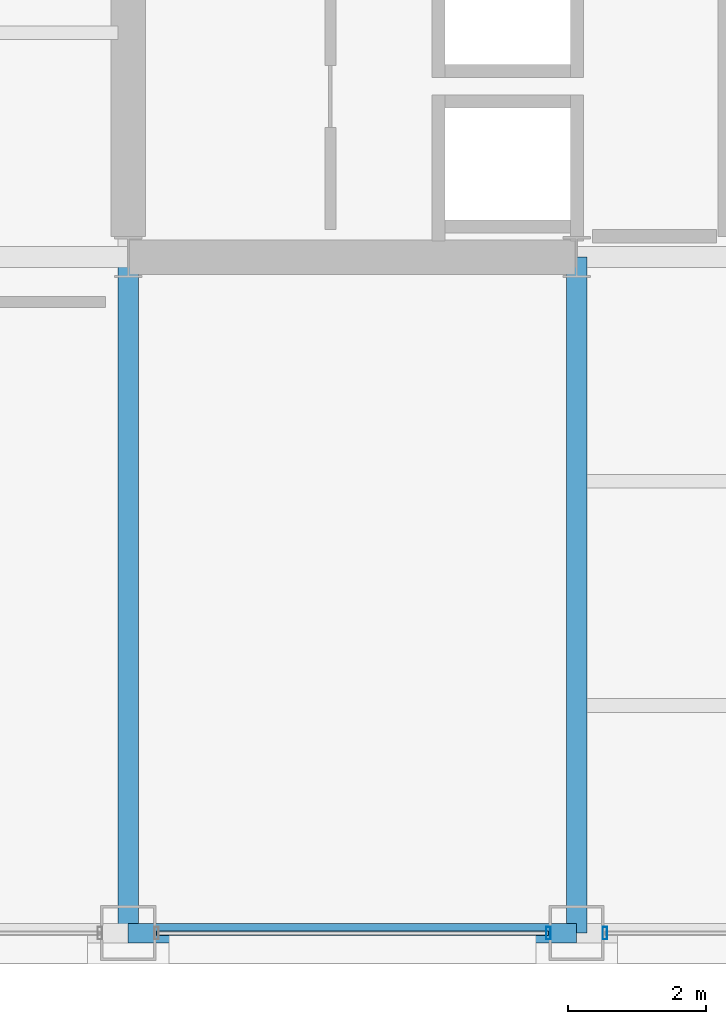
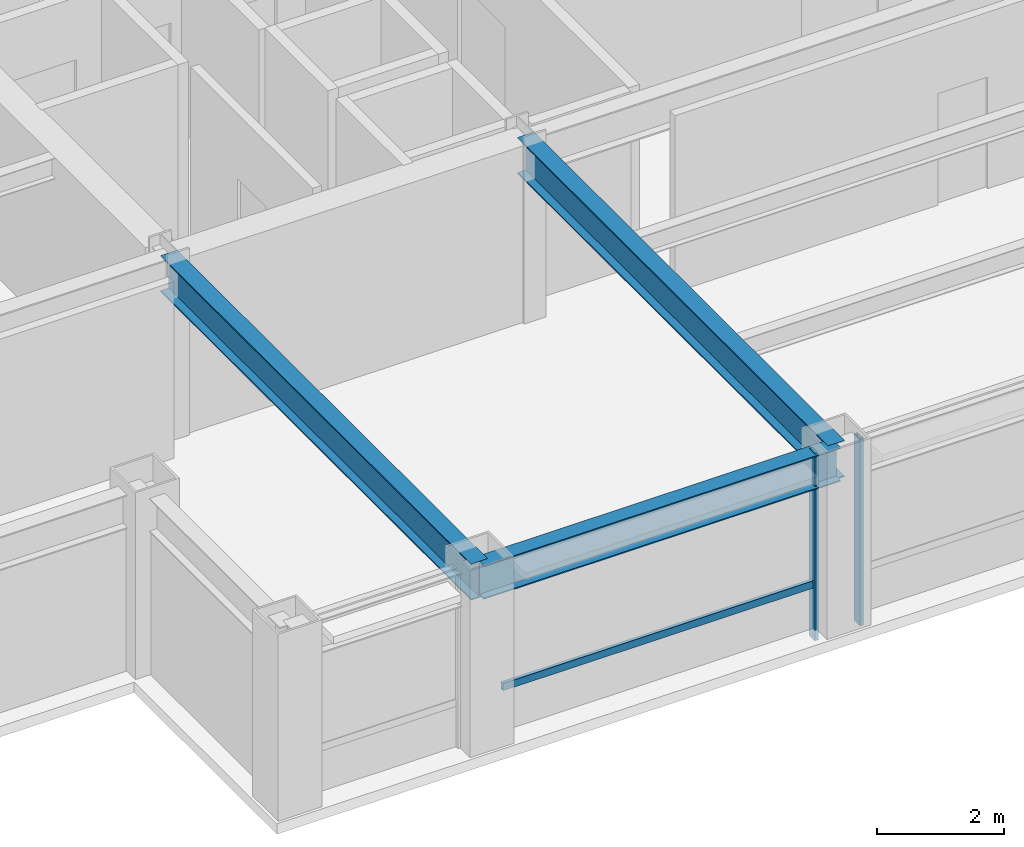
# One storey, part 3 of 28: 3 beams, 3 members, 2 elements without a shape of their own.
"""IFC4 building model written with IfcOpenShell, lengths in metres."""

from ifc_helpers import new_model, si_unit, direction, frame, origin, origin_2d, place, context, subcontext, project, spatial, hollow_rectangle, i_section, extrude, material, layer, layer_set, material_profile, profile_set, type_object, element, aggregate, save


model = new_model("IFC4")

# Units and contexts
model_context = context("Model", 3, precision=1e-05, world=origin(), true_north=direction((0.0, 1.0)))
body_context = subcontext(model_context, "Body", "Model", "MODEL_VIEW")
ifc_project = project(units=[si_unit("LENGTHUNIT", "METRE"), si_unit("AREAUNIT", "SQUARE_METRE"), si_unit("VOLUMEUNIT", "CUBIC_METRE"), si_unit("PLANEANGLEUNIT", "RADIAN"), si_unit("MASSUNIT", "GRAM", prefix="KILO")], contexts=[model_context])

# Site, building, storey
site_placement = place(None, origin())
site = spatial("IfcSite", under=ifc_project, at=site_placement, CompositionType="ELEMENT")
building_placement = place(site_placement, origin())
building = spatial("IfcBuilding", under=site, at=building_placement, Name="Brelmoor Portico Tower", CompositionType="ELEMENT")
storey_placement = place(building_placement, frame((0.0, 0.0, 142.199951171875)))
storey = spatial("IfcBuildingStorey", under=building, at=storey_placement, Name="L37", CompositionType="ELEMENT", Elevation=142.199951171875)

# Beams
ifc_material_1 = material(Name="Steel Q355B", Category="steel")
ifc_material_profile_1 = material_profile(ifc_material_1, i_section(OverallWidth=0.300048828125, OverallDepth=0.699951171875, WebThickness=0.012939453125, FlangeThickness=0.02392578125, at=origin_2d()), Name="HN 700x300x13x24")
ifc_profile_set_1 = profile_set([ifc_material_profile_1], Name="Steel Q355B")
beam_type_1 = type_object("IfcBeamType", Name="BM-PG-700", PredefinedType="BEAM", material=ifc_profile_set_1)
for number, where, z_axis, x_axis, name in (
    (1, (-14.550048828125, -19.550048828125, 3.050048828125), (0.0, 1.0, 0.0), (-1.0, 0.0, 0.0), "L37 Primary Floor Girder PG-01"),
    (2, (-8.050048828125, -19.550048828125, 3.050048828125), (0.0, 1.0, 0.0), (-1.0, 0.0, 0.0), "L37 Primary Floor Girder PG-05"),
):
    element("IfcBeam", number, at=place(storey_placement, frame(where, z_axis=z_axis, x_axis=x_axis)), inside=storey, type_object=beam_type_1, Name=name, PredefinedType="BEAM", context=body_context, shape_type="SweptSolid", body=[
        extrude(i_section(OverallWidth=0.300048828125, OverallDepth=0.699951171875, WebThickness=0.012939453125, FlangeThickness=0.02392578125, at=origin_2d()), origin(), (0.0, 0.0, 1.0), 9.800048828125),
    ])
ifc_material_profile_2 = material_profile(ifc_material_1, i_section(OverallWidth=0.280029296875, OverallDepth=0.64990234375, WebThickness=0.012939453125, FlangeThickness=0.02197265625, at=origin_2d()), Name="HN 650x280x13x22")
ifc_profile_set_2 = profile_set([ifc_material_profile_2], Name="Steel Q355B")
beam_type_2 = type_object("IfcBeamType", Name="BM-SP-650", PredefinedType="SPANDREL", material=ifc_profile_set_2)
beam_placement = place(storey_placement, frame((-14.550048828125, -19.550048828125, 3.074951171875), z_axis=(1.0, 0.0, 0.0), x_axis=(0.0, 1.0, 0.0)))
element("IfcBeam", 3, at=beam_placement, inside=storey, type_object=beam_type_2, Name="L37 Perimeter Spandrel Beam SP-02", PredefinedType="SPANDREL", context=body_context, shape_type="SweptSolid", body=[
    extrude(i_section(OverallWidth=0.280029296875, OverallDepth=0.64990234375, WebThickness=0.012939453125, FlangeThickness=0.02197265625, at=origin_2d()), origin(), (0.0, 0.0, 1.0), 6.5),
])

# Curtain wall, member
ifc_material_2 = material(Name="Anodised Aluminium Alloy 6063-T6", Category="aluminium")
ifc_layer = layer(ifc_material_2, 0.179931640625)
ifc_layer_set = layer_set([ifc_layer], Name="Anodised Aluminium Alloy 6063-T6")
curtain_wall_type = type_object("IfcCurtainWallType", Name="CW-TOWER-Z2", PredefinedType="NOTDEFINED", material=ifc_layer_set)
curtain_wall_1_placement = place(storey_placement, origin())
curtain_wall_1 = element("IfcCurtainWall", 4, at=curtain_wall_1_placement, inside=storey, type_object=curtain_wall_type, Name="L37 Curtain Wall CW-L37-01-2", PredefinedType="NOTDEFINED")
ifc_material_profile_3 = material_profile(ifc_material_2, hollow_rectangle(XDim=0.06494140625, YDim=0.179931640625, WallThickness=0.00390625, at=origin_2d()), Name="ALU MULLION 65x180")
ifc_profile_set_3 = profile_set([ifc_material_profile_3], Name="Anodised Aluminium Alloy 6063-T6")
member_type_1 = type_object("IfcMemberType", Name="MB-CW-MULL-180", PredefinedType="MULLION", material=ifc_profile_set_3)
member_1_placement = place(storey_placement, frame((-8.4599609375, -19.550048828125, -0.199951171875), z_axis=(0.0, 0.0, 1.0), x_axis=(1.0, 0.0, 0.0)))
member_1 = element("IfcMember", 5, at=member_1_placement, type_object=member_type_1, Name="CW-L37-01-2 Mullion 01", PredefinedType="MULLION", context=body_context, shape_type="SweptSolid", body=[
    extrude(hollow_rectangle(XDim=0.06494140625, YDim=0.179931640625, WallThickness=0.00390625, at=origin_2d()), origin(), (0.0, 0.0, 1.0), 3.60009765625),
])

curtain_wall_2_placement = place(storey_placement, origin())
curtain_wall_2 = element("IfcCurtainWall", 6, at=curtain_wall_2_placement, inside=storey, type_object=curtain_wall_type, Name="L37 Curtain Wall CW-L37-01-3", PredefinedType="NOTDEFINED")
member_2_placement = place(storey_placement, frame((-7.639892578125, -19.550048828125, -0.199951171875), z_axis=(0.0, 0.0, 1.0), x_axis=(1.0, 0.0, 0.0)))
member_2 = element("IfcMember", 7, at=member_2_placement, type_object=member_type_1, Name="CW-L37-01-3 Mullion 00", PredefinedType="MULLION", context=body_context, shape_type="SweptSolid", body=[
    extrude(hollow_rectangle(XDim=0.06494140625, YDim=0.179931640625, WallThickness=0.00390625, at=origin_2d()), origin(), (0.0, 0.0, 1.0), 3.60009765625),
])
aggregate(curtain_wall_2, [member_2])

# Member
ifc_material_profile_4 = material_profile(ifc_material_2, hollow_rectangle(XDim=0.06494140625, YDim=0.139892578125, WallThickness=0.00390625, at=origin_2d()), Name="ALU TRANSOM 65x140")
ifc_profile_set_4 = profile_set([ifc_material_profile_4], Name="Anodised Aluminium Alloy 6063-T6")
member_type_2 = type_object("IfcMemberType", Name="MB-CW-TRAN-140", PredefinedType="USERDEFINED", material=ifc_profile_set_4)
member_3_placement = place(storey_placement, frame((-14.139892578125, -19.550048828125, 0.85009765625), z_axis=(1.0, 0.0, 0.0), x_axis=(0.0, 1.0, 0.0)))
member_3 = element("IfcMember", 8, at=member_3_placement, type_object=member_type_2, Name="CW-L37-01-2 Transom 1-00", ObjectType="TRANSOM", PredefinedType="USERDEFINED", context=body_context, shape_type="SweptSolid", body=[
    extrude(hollow_rectangle(XDim=0.06494140625, YDim=0.139892578125, WallThickness=0.00390625, at=origin_2d()), origin(), (0.0, 0.0, 1.0), 5.679931640625),
])

aggregate(curtain_wall_1, [member_1, member_3])

save(model, "model.ifc")
